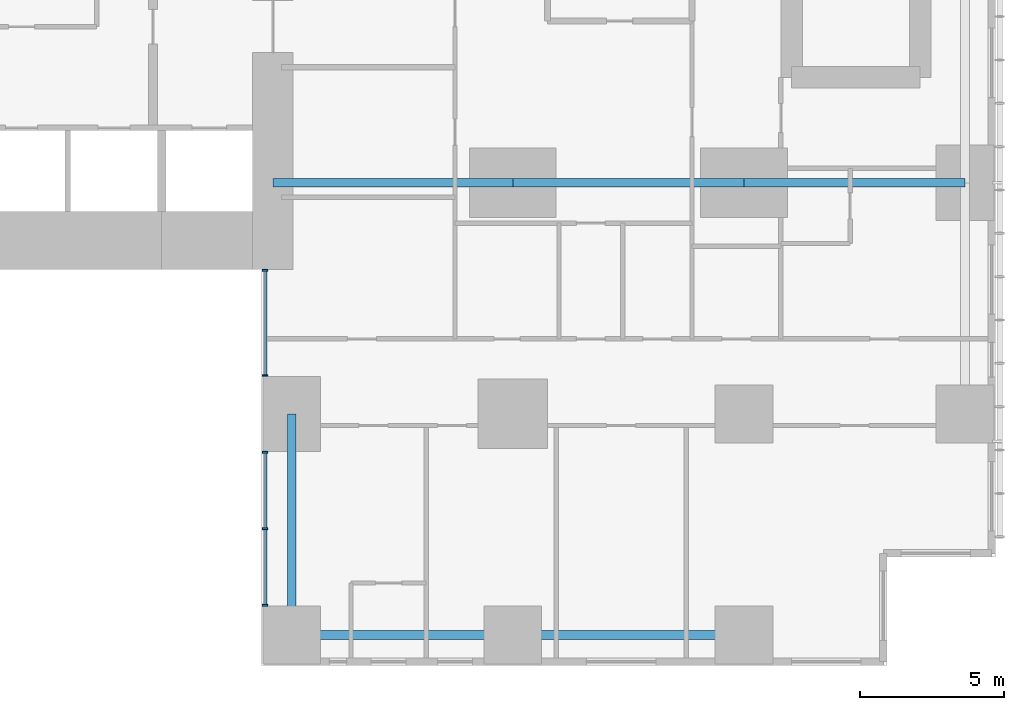
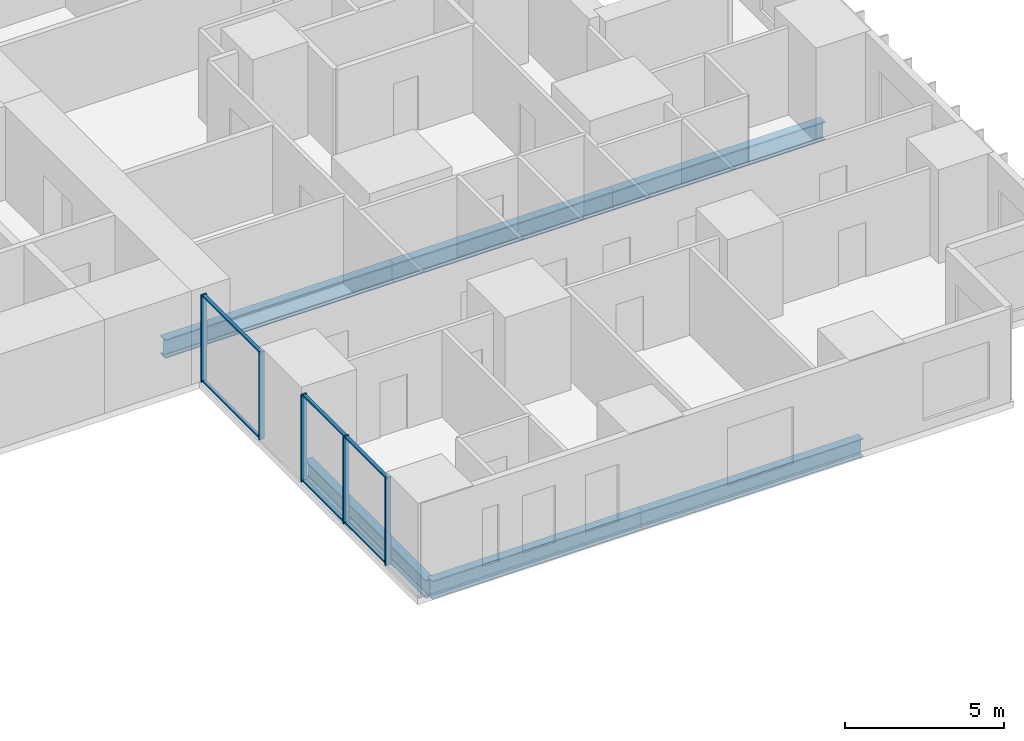
# One storey, part 3 of 20: 11 members, 6 beams, 2 elements without a shape of their own.
"""IFC4 building model written with IfcOpenShell, lengths in metres."""

from ifc_helpers import new_model, si_unit, direction, frame, origin, origin_2d, place, context, subcontext, project, spatial, rectangle, i_section, extrude, material, layer, layer_set, material_profile, profile_set, type_object, element, aggregate, save


model = new_model("IFC4")

# Units and contexts
model_context = context("Model", 3, precision=1e-05, world=origin(), true_north=direction((0.0, 1.0)))
body_context = subcontext(model_context, "Body", "Model", "MODEL_VIEW")
ifc_project = project(units=[si_unit("LENGTHUNIT", "METRE"), si_unit("AREAUNIT", "SQUARE_METRE"), si_unit("VOLUMEUNIT", "CUBIC_METRE"), si_unit("PLANEANGLEUNIT", "RADIAN"), si_unit("MASSUNIT", "GRAM", prefix="KILO")], contexts=[model_context])

# Site, building, storey
site_placement = place(None, origin())
site = spatial("IfcSite", under=ifc_project, at=site_placement, CompositionType="ELEMENT")
building_placement = place(site_placement, origin())
building = spatial("IfcBuilding", under=site, at=building_placement, Name="Cleftline Residences", CompositionType="ELEMENT")
storey_placement = place(building_placement, frame((0.0, 0.0, 107.0)))
storey = spatial("IfcBuildingStorey", under=building, at=storey_placement, Name="L27", CompositionType="ELEMENT", Elevation=107.0)

# Beams
ifc_material_1 = material(Name="Steel S355", Category="steel")
ifc_material_profile_1 = material_profile(ifc_material_1, i_section(OverallWidth=0.300048828125, OverallDepth=0.699951171875, WebThickness=0.01708984375, FlangeThickness=0.031982421875, FilletRadius=0.027099609375, at=origin_2d()))
ifc_profile_set_1 = profile_set([ifc_material_profile_1], Name="Steel S355")
beam_type_1 = type_object("IfcBeamType", Name="BEAM HEB 700", PredefinedType="BEAM", material=ifc_profile_set_1)
beam_1_placement = place(storey_placement, frame((58.0, 0.35009765625, -0.60009765625), z_axis=(-1.0, 0.0, 0.0), x_axis=(0.0, -1.0, 0.0)))
element("IfcBeam", 1, at=beam_1_placement, inside=storey, type_object=beam_type_1, Name="Edge beam", PredefinedType="BEAM", context=body_context, shape_type="SweptSolid", body=[
    extrude(i_section(OverallWidth=0.300048828125, OverallDepth=0.699951171875, WebThickness=0.01708984375, FlangeThickness=0.031982421875, FilletRadius=0.027099609375, at=origin_2d()), origin(), (0.0, 0.0, 1.0), 8.0),
])
for number, where, z_axis, x_axis, name in (
    (2, (50.0, 0.35009765625, -0.60009765625), (-1.0, 0.0, 0.0), (0.0, -1.0, 0.0), "Edge beam"),
    (3, (42.35009765625, 0.35009765625, -0.60009765625), (0.0, 1.0, 0.0), (-1.0, 0.0, 0.0), "Edge beam"),
):
    element("IfcBeam", number, at=place(storey_placement, frame(where, z_axis=z_axis, x_axis=x_axis)), inside=storey, type_object=beam_type_1, Name=name, PredefinedType="BEAM", context=body_context, shape_type="SweptSolid", body=[
        extrude(i_section(OverallWidth=0.300048828125, OverallDepth=0.699951171875, WebThickness=0.01708984375, FlangeThickness=0.031982421875, FilletRadius=0.027099609375, at=origin_2d()), origin(), (0.0, 0.0, 1.0), 7.64990234375),
    ])
ifc_material_2 = material(Name="Steel S355", Category="steel")
ifc_material_profile_2 = material_profile(ifc_material_2, i_section(OverallWidth=0.303955078125, OverallDepth=0.716064453125, WebThickness=0.02099609375, FlangeThickness=0.0400390625, FilletRadius=0.027099609375, at=origin_2d()))
ifc_profile_set_2 = profile_set([ifc_material_profile_2], Name="Steel S355")
beam_type_2 = type_object("IfcBeamType", Name="BEAM HEM 700", PredefinedType="BEAM", material=ifc_profile_set_2)
beam_2_placement = place(storey_placement, frame((65.64990234375, 16.0, -0.60791015625), z_axis=(-1.0, 0.0, 0.0), x_axis=(0.0, -1.0, 0.0)))
element("IfcBeam", 4, at=beam_2_placement, inside=storey, type_object=beam_type_2, Name="Band beam", PredefinedType="BEAM", context=body_context, shape_type="SweptSolid", body=[
    extrude(i_section(OverallWidth=0.303955078125, OverallDepth=0.716064453125, WebThickness=0.02099609375, FlangeThickness=0.0400390625, FilletRadius=0.027099609375, at=origin_2d()), origin(), (0.0, 0.0, 1.0), 7.64990234375),
])
beam_3_placement = place(storey_placement, frame((58.0, 16.0, -0.60791015625), z_axis=(-1.0, 0.0, 0.0), x_axis=(0.0, -1.0, 0.0)))
element("IfcBeam", 5, at=beam_3_placement, inside=storey, type_object=beam_type_2, Name="Band beam", PredefinedType="BEAM", context=body_context, shape_type="SweptSolid", body=[
    extrude(i_section(OverallWidth=0.303955078125, OverallDepth=0.716064453125, WebThickness=0.02099609375, FlangeThickness=0.0400390625, FilletRadius=0.027099609375, at=origin_2d()), origin(), (0.0, 0.0, 1.0), 8.0),
])
beam_4_placement = place(storey_placement, frame((50.0, 16.0, -0.60791015625), z_axis=(-1.0, 0.0, 0.0), x_axis=(0.0, -1.0, 0.0)))
element("IfcBeam", 6, at=beam_4_placement, inside=storey, type_object=beam_type_2, Name="Band beam", PredefinedType="BEAM", context=body_context, shape_type="SweptSolid", body=[
    extrude(i_section(OverallWidth=0.303955078125, OverallDepth=0.716064453125, WebThickness=0.02099609375, FlangeThickness=0.0400390625, FilletRadius=0.027099609375, at=origin_2d()), origin(), (0.0, 0.0, 1.0), 8.300048828125),
])

# Curtain wall, members
ifc_material_3 = material(Name="Aluminium framed curtain wall", Category="aluminium")
ifc_layer = layer(ifc_material_3, 0.199951171875)
ifc_layer_set = layer_set([ifc_layer], Name="CW1 CLEFT GLAZING")
curtain_wall_type = type_object("IfcCurtainWallType", Name="CW1 CLEFT GLAZING", PredefinedType="NOTDEFINED", material=ifc_layer_set)
curtain_wall_1_placement = place(storey_placement, origin())
curtain_wall_1 = element("IfcCurtainWall", 7, at=curtain_wall_1_placement, inside=storey, type_object=curtain_wall_type, Name="Curtain wall CW1", PredefinedType="NOTDEFINED")
ifc_material_4 = material(Name="Aluminium mullion", Category="aluminium")
ifc_material_profile_3 = material_profile(ifc_material_4, rectangle(XDim=0.199951171875, YDim=0.06005859375, at=origin_2d()))
ifc_profile_set_3 = profile_set([ifc_material_profile_3], Name="Aluminium mullion")
member_type_1 = type_object("IfcMemberType", Name="CW1 MULLION", PredefinedType="MULLION", material=ifc_profile_set_3)
member_1_placement = place(storey_placement, frame((41.425048828125, 12.969970703125, 0.0), z_axis=(0.0, 0.0, 1.0), x_axis=(1.0, 0.0, 0.0)))
member_1 = element("IfcMember", 8, at=member_1_placement, type_object=member_type_1, Name="CW1 mullion 1", PredefinedType="MULLION", context=body_context, shape_type="SweptSolid", body=[
    extrude(rectangle(XDim=0.199951171875, YDim=0.06005859375, at=origin_2d()), origin(), (0.0, 0.0, 1.0), 3.35009765625),
])
member_2_placement = place(storey_placement, frame((41.425048828125, 9.330078125, 0.0), z_axis=(0.0, 0.0, 1.0), x_axis=(1.0, 0.0, 0.0)))
member_2 = element("IfcMember", 9, at=member_2_placement, type_object=member_type_1, Name="CW1 mullion 2", PredefinedType="MULLION", context=body_context, shape_type="SweptSolid", body=[
    extrude(rectangle(XDim=0.199951171875, YDim=0.06005859375, at=origin_2d()), origin(), (0.0, 0.0, 1.0), 3.35009765625),
])

curtain_wall_2_placement = place(storey_placement, origin())
curtain_wall_2 = element("IfcCurtainWall", 10, at=curtain_wall_2_placement, inside=storey, type_object=curtain_wall_type, Name="Curtain wall CW1", PredefinedType="NOTDEFINED")
member_3_placement = place(storey_placement, frame((41.425048828125, 6.669921875, 0.0), z_axis=(0.0, 0.0, 1.0), x_axis=(1.0, 0.0, 0.0)))
member_3 = element("IfcMember", 11, at=member_3_placement, type_object=member_type_1, Name="CW1 mullion 1", PredefinedType="MULLION", context=body_context, shape_type="SweptSolid", body=[
    extrude(rectangle(XDim=0.199951171875, YDim=0.06005859375, at=origin_2d()), origin(), (0.0, 0.0, 1.0), 3.35009765625),
])
member_4_placement = place(storey_placement, frame((41.425048828125, 4.02490234375, 0.0), z_axis=(0.0, 0.0, 1.0), x_axis=(1.0, 0.0, 0.0)))
member_4 = element("IfcMember", 12, at=member_4_placement, type_object=member_type_1, Name="CW1 mullion 2", PredefinedType="MULLION", context=body_context, shape_type="SweptSolid", body=[
    extrude(rectangle(XDim=0.199951171875, YDim=0.06005859375, at=origin_2d()), origin(), (0.0, 0.0, 1.0), 3.35009765625),
])
member_5_placement = place(storey_placement, frame((41.425048828125, 1.3798828125, 0.0), z_axis=(0.0, 0.0, 1.0), x_axis=(1.0, 0.0, 0.0)))
member_5 = element("IfcMember", 13, at=member_5_placement, type_object=member_type_1, Name="CW1 mullion 3", PredefinedType="MULLION", context=body_context, shape_type="SweptSolid", body=[
    extrude(rectangle(XDim=0.199951171875, YDim=0.06005859375, at=origin_2d()), origin(), (0.0, 0.0, 1.0), 3.35009765625),
])

# Member
ifc_material_5 = material(Name="Aluminium transom", Category="aluminium")
ifc_material_profile_4 = material_profile(ifc_material_5, rectangle(XDim=0.1201171875, YDim=0.06005859375, at=origin_2d()))
ifc_profile_set_4 = profile_set([ifc_material_profile_4], Name="Aluminium transom")
member_type_2 = type_object("IfcMemberType", Name="CW1 TRANSOM", PredefinedType="USERDEFINED", material=ifc_profile_set_4)
member_6_placement = place(storey_placement, frame((41.425048828125, 12.93994140625, 0.030029296875), z_axis=(0.0, -1.0, 0.0), x_axis=(1.0, 0.0, 0.0)))
member_6 = element("IfcMember", 14, at=member_6_placement, type_object=member_type_2, Name="CW1 transom 1.1", ObjectType="TRANSOM", PredefinedType="USERDEFINED", context=body_context, shape_type="SweptSolid", body=[
    extrude(rectangle(XDim=0.1201171875, YDim=0.06005859375, at=origin_2d()), origin(), (0.0, 0.0, 1.0), 3.579833984375),
])

member_7_placement = place(storey_placement, frame((41.425048828125, 12.93994140625, 3.320068359375), z_axis=(0.0, -1.0, 0.0), x_axis=(1.0, 0.0, 0.0)))
member_7 = element("IfcMember", 15, at=member_7_placement, type_object=member_type_2, Name="CW1 transom 1.2", ObjectType="TRANSOM", PredefinedType="USERDEFINED", context=body_context, shape_type="SweptSolid", body=[
    extrude(rectangle(XDim=0.1201171875, YDim=0.06005859375, at=origin_2d()), origin(), (0.0, 0.0, 1.0), 3.579833984375),
])

aggregate(curtain_wall_1, [member_1, member_2, member_6, member_7])

member_8_placement = place(storey_placement, frame((41.425048828125, 6.639892578125, 0.030029296875), z_axis=(0.0, -1.0, 0.0), x_axis=(1.0, 0.0, 0.0)))
member_8 = element("IfcMember", 16, at=member_8_placement, type_object=member_type_2, Name="CW1 transom 1.1", ObjectType="TRANSOM", PredefinedType="USERDEFINED", context=body_context, shape_type="SweptSolid", body=[
    extrude(rectangle(XDim=0.1201171875, YDim=0.06005859375, at=origin_2d()), origin(), (0.0, 0.0, 1.0), 2.5849609375),
])

member_9_placement = place(storey_placement, frame((41.425048828125, 6.639892578125, 3.320068359375), z_axis=(0.0, -1.0, 0.0), x_axis=(1.0, 0.0, 0.0)))
member_9 = element("IfcMember", 17, at=member_9_placement, type_object=member_type_2, Name="CW1 transom 1.2", ObjectType="TRANSOM", PredefinedType="USERDEFINED", context=body_context, shape_type="SweptSolid", body=[
    extrude(rectangle(XDim=0.1201171875, YDim=0.06005859375, at=origin_2d()), origin(), (0.0, 0.0, 1.0), 2.5849609375),
])

member_10_placement = place(storey_placement, frame((41.425048828125, 3.9951171875, 0.030029296875), z_axis=(0.0, -1.0, 0.0), x_axis=(1.0, 0.0, 0.0)))
member_10 = element("IfcMember", 18, at=member_10_placement, type_object=member_type_2, Name="CW1 transom 2.1", ObjectType="TRANSOM", PredefinedType="USERDEFINED", context=body_context, shape_type="SweptSolid", body=[
    extrude(rectangle(XDim=0.1201171875, YDim=0.06005859375, at=origin_2d()), origin(), (0.0, 0.0, 1.0), 2.585205078125),
])

member_11_placement = place(storey_placement, frame((41.425048828125, 3.9951171875, 3.320068359375), z_axis=(0.0, -1.0, 0.0), x_axis=(1.0, 0.0, 0.0)))
member_11 = element("IfcMember", 19, at=member_11_placement, type_object=member_type_2, Name="CW1 transom 2.2", ObjectType="TRANSOM", PredefinedType="USERDEFINED", context=body_context, shape_type="SweptSolid", body=[
    extrude(rectangle(XDim=0.1201171875, YDim=0.06005859375, at=origin_2d()), origin(), (0.0, 0.0, 1.0), 2.585205078125),
])

aggregate(curtain_wall_2, [member_3, member_4, member_5, member_8, member_9, member_10, member_11])

save(model, "model.ifc")
